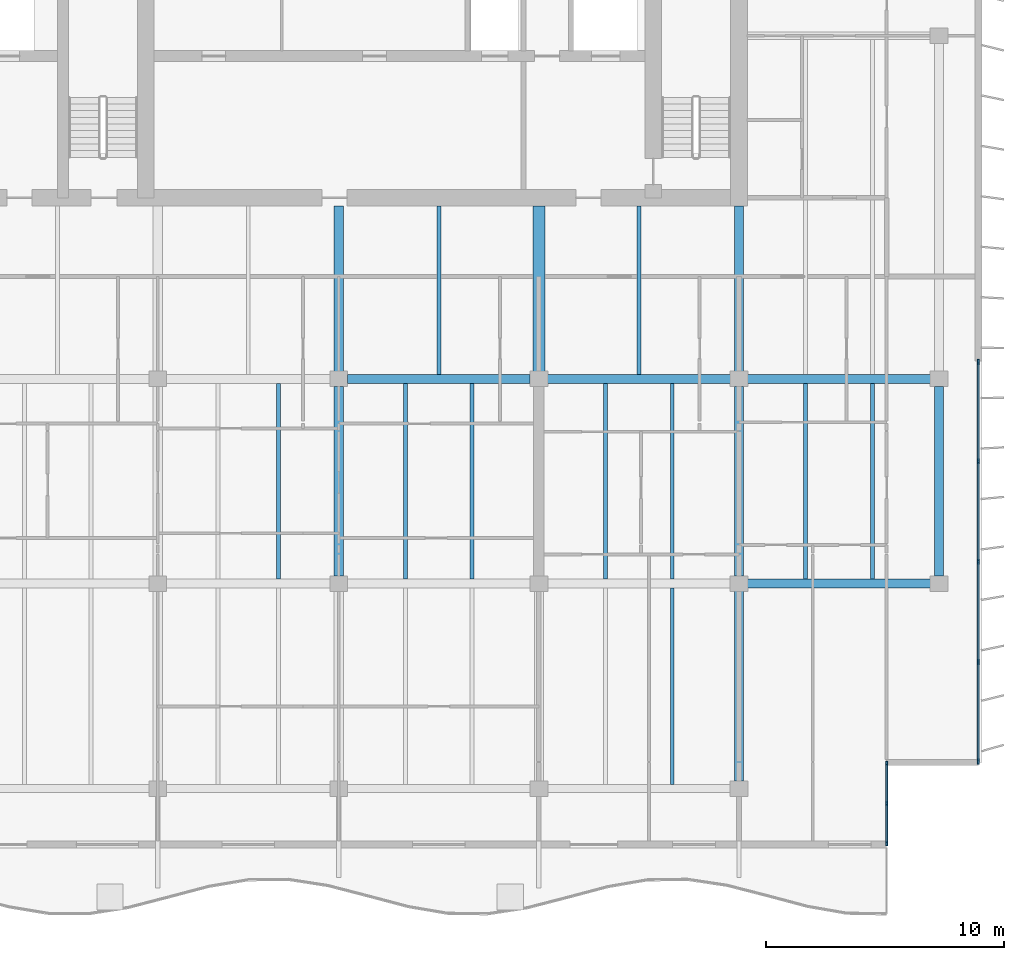
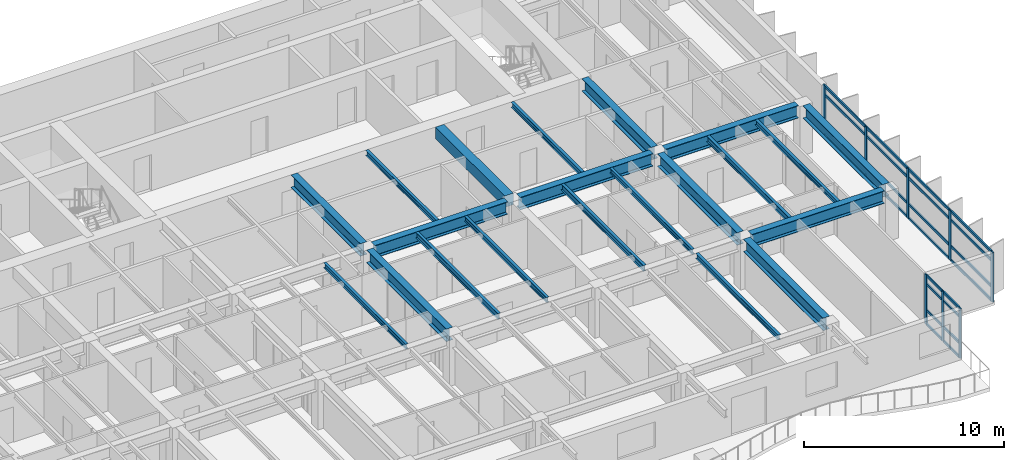
# One storey, part 4 of 17: 32 members, 21 beams, 2 elements without a shape of their own.
"""IFC4 building model written with IfcOpenShell, lengths in metres."""

from ifc_helpers import new_model, si_unit, direction, frame, origin, origin_2d, place, context, subcontext, project, spatial, rectangle, i_section, extrude, material, layer, layer_set, material_profile, profile_set, type_object, element, aggregate, save


model = new_model("IFC4")

# Units and contexts
model_context = context("Model", 3, precision=1e-05, world=origin(), true_north=direction((0.0, 1.0)))
body_context = subcontext(model_context, "Body", "Model", "MODEL_VIEW")
ifc_project = project(units=[si_unit("LENGTHUNIT", "METRE"), si_unit("AREAUNIT", "SQUARE_METRE"), si_unit("VOLUMEUNIT", "CUBIC_METRE"), si_unit("PLANEANGLEUNIT", "RADIAN"), si_unit("MASSUNIT", "GRAM", prefix="KILO")], contexts=[model_context])

# Site, building, storey
site_placement = place(None, origin())
site = spatial("IfcSite", under=ifc_project, at=site_placement, CompositionType="ELEMENT")
building_placement = place(site_placement, origin())
building = spatial("IfcBuilding", under=site, at=building_placement, Name="Caelmar Bay Residences", CompositionType="ELEMENT")
storey_placement = place(building_placement, frame((0.0, 0.0, 243.0)))
storey = spatial("IfcBuildingStorey", under=building, at=storey_placement, Name="L68", CompositionType="ELEMENT", Elevation=243.0)

# Beams
ifc_material_1 = material(Name="Steel ASTM A992 Grade 50", Category="steel")
ifc_material_profile_1 = material_profile(ifc_material_1, i_section(OverallWidth=0.381103515625, OverallDepth=0.77197265625, WebThickness=0.0166015625, FlangeThickness=0.027099609375, FilletRadius=0.0166015625, at=origin_2d()), Name="W30X173")
ifc_profile_set_1 = profile_set([ifc_material_profile_1], Name="Steel ASTM A992 Grade 50")
beam_type_1 = type_object("IfcBeamType", Name="BM-GRD-W30X173", PredefinedType="BEAM", material=ifc_profile_set_1)
beam_1_placement = place(storey_placement, frame((59.864990234375, 20.800048828125, 2.6640625), z_axis=(1.0, 0.0, 0.0), x_axis=(0.0, 1.0, 0.0)))
element("IfcBeam", 1, at=beam_1_placement, inside=storey, type_object=beam_type_1, Name="L68 East-West Girder Y=20.80 (59.5-67.9)", PredefinedType="BEAM", context=body_context, shape_type="SweptSolid", body=[
    extrude(i_section(OverallWidth=0.381103515625, OverallDepth=0.77197265625, WebThickness=0.0166015625, FlangeThickness=0.027099609375, FilletRadius=0.0166015625, at=origin_2d()), origin(), (0.0, 0.0, 1.0), 7.669921875),
])
beam_2_placement = place(storey_placement, frame((43.06494140625, 29.39990234375, 2.6640625), z_axis=(1.0, 0.0, 0.0), x_axis=(0.0, 1.0, 0.0)))
element("IfcBeam", 2, at=beam_2_placement, inside=storey, type_object=beam_type_1, Name="L68 East-West Girder Y=29.40 (42.7-51.1)", PredefinedType="BEAM", context=body_context, shape_type="SweptSolid", body=[
    extrude(i_section(OverallWidth=0.381103515625, OverallDepth=0.77197265625, WebThickness=0.0166015625, FlangeThickness=0.027099609375, FilletRadius=0.0166015625, at=origin_2d()), origin(), (0.0, 0.0, 1.0), 7.670166015625),
])
for number, where, z_axis, x_axis, name in (
    (3, (51.465087890625, 29.39990234375, 2.6640625), (1.0, 0.0, 0.0), (0.0, 1.0, 0.0), "L68 East-West Girder Y=29.40 (51.1-59.5)"),
    (4, (59.864990234375, 29.39990234375, 2.6640625), (1.0, 0.0, 0.0), (0.0, 1.0, 0.0), "L68 East-West Girder Y=29.40 (59.5-67.9)"),
):
    element("IfcBeam", number, at=place(storey_placement, frame(where, z_axis=z_axis, x_axis=x_axis)), inside=storey, type_object=beam_type_1, Name=name, PredefinedType="BEAM", context=body_context, shape_type="SweptSolid", body=[
        extrude(i_section(OverallWidth=0.381103515625, OverallDepth=0.77197265625, WebThickness=0.0166015625, FlangeThickness=0.027099609375, FilletRadius=0.0166015625, at=origin_2d()), origin(), (0.0, 0.0, 1.0), 7.669921875),
    ])
beam_3_placement = place(storey_placement, frame((42.699951171875, 29.715087890625, 2.6640625), z_axis=(0.0, 1.0, 0.0), x_axis=(-1.0, 0.0, 0.0)))
element("IfcBeam", 5, at=beam_3_placement, inside=storey, type_object=beam_type_1, Name="L68 Core Tie Girder X=42.70", PredefinedType="BEAM", context=body_context, shape_type="SweptSolid", body=[
    extrude(i_section(OverallWidth=0.381103515625, OverallDepth=0.77197265625, WebThickness=0.0166015625, FlangeThickness=0.027099609375, FilletRadius=0.0166015625, at=origin_2d()), origin(), (0.0, 0.0, 1.0), 6.934814453125),
])
beam_4_placement = place(storey_placement, frame((42.699951171875, 21.114990234375, 2.6640625), z_axis=(0.0, 1.0, 0.0), x_axis=(-1.0, 0.0, 0.0)))
element("IfcBeam", 6, at=beam_4_placement, inside=storey, type_object=beam_type_1, Name="L68 North-South Girder X=42.70 (20.8-29.4)", PredefinedType="BEAM", context=body_context, shape_type="SweptSolid", body=[
    extrude(i_section(OverallWidth=0.381103515625, OverallDepth=0.77197265625, WebThickness=0.0166015625, FlangeThickness=0.027099609375, FilletRadius=0.0166015625, at=origin_2d()), origin(), (0.0, 0.0, 1.0), 7.969970703125),
])
beam_5_placement = place(storey_placement, frame((59.5, 29.715087890625, 2.6640625), z_axis=(0.0, 1.0, 0.0), x_axis=(-1.0, 0.0, 0.0)))
element("IfcBeam", 7, at=beam_5_placement, inside=storey, type_object=beam_type_1, Name="L68 Core Tie Girder X=59.50", PredefinedType="BEAM", context=body_context, shape_type="SweptSolid", body=[
    extrude(i_section(OverallWidth=0.381103515625, OverallDepth=0.77197265625, WebThickness=0.0166015625, FlangeThickness=0.027099609375, FilletRadius=0.0166015625, at=origin_2d()), origin(), (0.0, 0.0, 1.0), 6.934814453125),
])
beam_6_placement = place(storey_placement, frame((59.5, 12.514892578125, 2.6640625), z_axis=(0.0, 1.0, 0.0), x_axis=(-1.0, 0.0, 0.0)))
element("IfcBeam", 8, at=beam_6_placement, inside=storey, type_object=beam_type_1, Name="L68 North-South Girder X=59.50 (12.2-20.8)", PredefinedType="BEAM", context=body_context, shape_type="SweptSolid", body=[
    extrude(i_section(OverallWidth=0.381103515625, OverallDepth=0.77197265625, WebThickness=0.0166015625, FlangeThickness=0.027099609375, FilletRadius=0.0166015625, at=origin_2d()), origin(), (0.0, 0.0, 1.0), 7.97021484375),
])
for number, where, z_axis, x_axis, name in (
    (9, (59.5, 21.114990234375, 2.6640625), (0.0, 1.0, 0.0), (-1.0, 0.0, 0.0), "L68 North-South Girder X=59.50 (20.8-29.4)"),
    (10, (67.89990234375, 21.114990234375, 2.6640625), (0.0, 1.0, 0.0), (-1.0, 0.0, 0.0), "L68 North-South Girder X=67.90 (20.8-29.4)"),
):
    element("IfcBeam", number, at=place(storey_placement, frame(where, z_axis=z_axis, x_axis=x_axis)), inside=storey, type_object=beam_type_1, Name=name, PredefinedType="BEAM", context=body_context, shape_type="SweptSolid", body=[
        extrude(i_section(OverallWidth=0.381103515625, OverallDepth=0.77197265625, WebThickness=0.0166015625, FlangeThickness=0.027099609375, FilletRadius=0.0166015625, at=origin_2d()), origin(), (0.0, 0.0, 1.0), 7.969970703125),
    ])
ifc_material_profile_2 = material_profile(ifc_material_1, i_section(OverallWidth=0.1650390625, OverallDepth=0.31005859375, WebThickness=0.005859375, FlangeThickness=0.009765625, FilletRadius=0.007568359375, at=origin_2d()), Name="W12X26")
ifc_profile_set_2 = profile_set([ifc_material_profile_2], Name="Steel ASTM A992 Grade 50")
beam_type_2 = type_object("IfcBeamType", Name="BM-JST-W12X26", PredefinedType="JOIST", material=ifc_profile_set_2)
beam_7_placement = place(storey_placement, frame((56.699951171875, 12.362548828125, 2.89501953125), z_axis=(0.0, 1.0, 0.0), x_axis=(-1.0, 0.0, 0.0)))
element("IfcBeam", 11, at=beam_7_placement, inside=storey, type_object=beam_type_2, Name="L68 Composite Floor Joist 10", PredefinedType="JOIST", context=body_context, shape_type="SweptSolid", body=[
    extrude(i_section(OverallWidth=0.1650390625, OverallDepth=0.31005859375, WebThickness=0.005859375, FlangeThickness=0.009765625, FilletRadius=0.007568359375, at=origin_2d()), origin(), (0.0, 0.0, 1.0), 8.2470703125),
])
for number, where, z_axis, x_axis, name in (
    (12, (40.166748046875, 20.990478515625, 2.89501953125), (0.0, 1.0, 0.0), (-1.0, 0.0, 0.0), "L68 Composite Floor Joist 18"),
    (13, (48.300048828125, 20.990478515625, 2.89501953125), (0.0, 1.0, 0.0), (-1.0, 0.0, 0.0), "L68 Composite Floor Joist 20"),
    (14, (56.699951171875, 20.990478515625, 2.89501953125), (0.0, 1.0, 0.0), (-1.0, 0.0, 0.0), "L68 Composite Floor Joist 22"),
    (15, (65.10009765625, 20.990478515625, 2.89501953125), (0.0, 1.0, 0.0), (-1.0, 0.0, 0.0), "L68 Composite Floor Joist 24"),
):
    element("IfcBeam", number, at=place(storey_placement, frame(where, z_axis=z_axis, x_axis=x_axis)), inside=storey, type_object=beam_type_2, Name=name, PredefinedType="JOIST", context=body_context, shape_type="SweptSolid", body=[
        extrude(i_section(OverallWidth=0.1650390625, OverallDepth=0.31005859375, WebThickness=0.005859375, FlangeThickness=0.009765625, FilletRadius=0.007568359375, at=origin_2d()), origin(), (0.0, 0.0, 1.0), 8.218994140625),
    ])
for number, where, z_axis, x_axis, name in (
    (16, (46.89990234375, 29.590576171875, 2.89501953125), (0.0, 1.0, 0.0), (-1.0, 0.0, 0.0), "L68 Core-Band Composite Joist 28"),
    (17, (55.300048828125, 29.590576171875, 2.89501953125), (0.0, 1.0, 0.0), (-1.0, 0.0, 0.0), "L68 Core-Band Composite Joist 29"),
):
    element("IfcBeam", number, at=place(storey_placement, frame(where, z_axis=z_axis, x_axis=x_axis)), inside=storey, type_object=beam_type_2, Name=name, PredefinedType="JOIST", context=body_context, shape_type="SweptSolid", body=[
        extrude(i_section(OverallWidth=0.1650390625, OverallDepth=0.31005859375, WebThickness=0.005859375, FlangeThickness=0.009765625, FilletRadius=0.007568359375, at=origin_2d()), origin(), (0.0, 0.0, 1.0), 7.059326171875),
    ])
ifc_material_profile_3 = material_profile(ifc_material_1, i_section(OverallWidth=0.1708984375, OverallDepth=0.35595703125, WebThickness=0.007080078125, FlangeThickness=0.01171875, FilletRadius=0.007568359375, at=origin_2d()), Name="W14X34")
ifc_profile_set_3 = profile_set([ifc_material_profile_3], Name="Steel ASTM A992 Grade 50")
beam_type_3 = type_object("IfcBeamType", Name="BM-JST-W14X34", PredefinedType="JOIST", material=ifc_profile_set_3)
for number, where, z_axis, x_axis, name in (
    (18, (45.5, 20.990478515625, 2.8720703125), (0.0, 1.0, 0.0), (-1.0, 0.0, 0.0), "L68 Composite Floor Joist 19"),
    (19, (53.89990234375, 20.990478515625, 2.8720703125), (0.0, 1.0, 0.0), (-1.0, 0.0, 0.0), "L68 Composite Floor Joist 21"),
    (20, (62.300048828125, 20.990478515625, 2.8720703125), (0.0, 1.0, 0.0), (-1.0, 0.0, 0.0), "L68 Composite Floor Joist 23"),
):
    element("IfcBeam", number, at=place(storey_placement, frame(where, z_axis=z_axis, x_axis=x_axis)), inside=storey, type_object=beam_type_3, Name=name, PredefinedType="JOIST", context=body_context, shape_type="SweptSolid", body=[
        extrude(i_section(OverallWidth=0.1708984375, OverallDepth=0.35595703125, WebThickness=0.007080078125, FlangeThickness=0.01171875, FilletRadius=0.007568359375, at=origin_2d()), origin(), (0.0, 0.0, 1.0), 8.218994140625),
    ])
ifc_material_2 = material(Name="Concrete f'c 55 MPa (8,000 psi)", Category="concrete")
ifc_material_profile_4 = material_profile(ifc_material_2, rectangle(XDim=0.5, YDim=0.699951171875, at=origin_2d()), Name="RC-BM-500X700")
ifc_profile_set_4 = profile_set([ifc_material_profile_4], Name="Concrete f'c 55 MPa (8,000 psi)")
beam_type_4 = type_object("IfcBeamType", Name="BM-RC-500X700", PredefinedType="LINTEL", material=ifc_profile_set_4)
beam_8_placement = place(storey_placement, frame((51.10009765625, 29.715087890625, 2.699951171875), z_axis=(0.0, 1.0, 0.0), x_axis=(-1.0, 0.0, 0.0)))
element("IfcBeam", 21, at=beam_8_placement, inside=storey, type_object=beam_type_4, Name="L68 Shear-Wall Corridor Coupling Lintel E8", PredefinedType="LINTEL", context=body_context, shape_type="SweptSolid", body=[
    extrude(rectangle(XDim=0.5, YDim=0.699951171875, at=origin_2d()), origin(), (0.0, 0.0, 1.0), 6.934814453125),
])

# Curtain wall, members
ifc_material_3 = material(Name="Anodised bronze aluminium 6063-T6 and laminated glass", Category="aluminium")
ifc_layer_1 = layer(ifc_material_3, 0.179931640625)
ifc_layer_set_1 = layer_set([ifc_layer_1], Name="Anodised bronze aluminium 6063-T6 and laminated glass")
curtain_wall_type_1 = type_object("IfcCurtainWallType", Name="CW6-NTC", PredefinedType="NOTDEFINED", material=ifc_layer_set_1)
curtain_wall_1_placement = place(storey_placement, origin())
curtain_wall_1 = element("IfcCurtainWall", 22, at=curtain_wall_1_placement, inside=storey, type_object=curtain_wall_type_1, Name="CW6 curtain wall L68", PredefinedType="NOTDEFINED")
ifc_material_4 = material(Name="Anodised bronze aluminium 6063-T6", Category="aluminium")
ifc_material_profile_5 = material_profile(ifc_material_4, rectangle(XDim=0.080078125, YDim=0.179931640625, at=origin_2d()), Name="CWM-80X180")
ifc_profile_set_5 = profile_set([ifc_material_profile_5], Name="Anodised bronze aluminium 6063-T6")
member_type_1 = type_object("IfcMemberType", Name="CWM-180", PredefinedType="MULLION", material=ifc_profile_set_5)
member_1_placement = place(storey_placement, frame((65.699951171875, 9.889892578125, 0.0), z_axis=(0.0, 0.0, 1.0), x_axis=(-1.0, 0.0, 0.0)))
member_1 = element("IfcMember", 23, at=member_1_placement, type_object=member_type_1, Name="CW6 mullion 1", PredefinedType="MULLION", context=body_context, shape_type="SweptSolid", body=[
    extrude(rectangle(XDim=0.080078125, YDim=0.179931640625, at=origin_2d()), origin(), (0.0, 0.0, 1.0), 3.050048828125),
])
member_2_placement = place(storey_placement, frame((65.699951171875, 11.574951171875, 0.0), z_axis=(0.0, 0.0, 1.0), x_axis=(-1.0, 0.0, 0.0)))
member_2 = element("IfcMember", 24, at=member_2_placement, type_object=member_type_1, Name="CW6 mullion 2", PredefinedType="MULLION", context=body_context, shape_type="SweptSolid", body=[
    extrude(rectangle(XDim=0.080078125, YDim=0.179931640625, at=origin_2d()), origin(), (0.0, 0.0, 1.0), 3.050048828125),
])
member_3_placement = place(storey_placement, frame((65.699951171875, 13.260009765625, 0.0), z_axis=(0.0, 0.0, 1.0), x_axis=(-1.0, 0.0, 0.0)))
member_3 = element("IfcMember", 25, at=member_3_placement, type_object=member_type_1, Name="CW6 mullion 3", PredefinedType="MULLION", context=body_context, shape_type="SweptSolid", body=[
    extrude(rectangle(XDim=0.080078125, YDim=0.179931640625, at=origin_2d()), origin(), (0.0, 0.0, 1.0), 3.050048828125),
])

ifc_layer_2 = layer(ifc_material_3, 0.179931640625)
ifc_layer_set_2 = layer_set([ifc_layer_2], Name="Anodised bronze aluminium 6063-T6 and laminated glass")
curtain_wall_type_2 = type_object("IfcCurtainWallType", Name="CW5-Z4", PredefinedType="NOTDEFINED", material=ifc_layer_set_2)
curtain_wall_2_placement = place(storey_placement, origin())
curtain_wall_2 = element("IfcCurtainWall", 26, at=curtain_wall_2_placement, inside=storey, type_object=curtain_wall_type_2, Name="CW5 curtain wall L68", PredefinedType="NOTDEFINED")
ifc_material_profile_6 = material_profile(ifc_material_4, rectangle(XDim=0.080078125, YDim=0.219970703125, at=origin_2d()), Name="CWM-80X220")
ifc_profile_set_6 = profile_set([ifc_material_profile_6], Name="Anodised bronze aluminium 6063-T6")
member_type_2 = type_object("IfcMemberType", Name="CWM-220", PredefinedType="MULLION", material=ifc_profile_set_6)
member_4_placement = place(storey_placement, frame((69.550048828125, 30.110107421875, 0.0), z_axis=(0.0, 0.0, 1.0), x_axis=(1.0, 0.0, 0.0)))
member_4 = element("IfcMember", 27, at=member_4_placement, type_object=member_type_2, Name="CW5 mullion 1", PredefinedType="MULLION", context=body_context, shape_type="SweptSolid", body=[
    extrude(rectangle(XDim=0.080078125, YDim=0.219970703125, at=origin_2d()), origin(), (0.0, 0.0, 1.0), 3.050048828125),
])
member_5_placement = place(storey_placement, frame((69.550048828125, 25.9375, 0.0), z_axis=(0.0, 0.0, 1.0), x_axis=(1.0, 0.0, 0.0)))
member_5 = element("IfcMember", 28, at=member_5_placement, type_object=member_type_2, Name="CW5 mullion 2", PredefinedType="MULLION", context=body_context, shape_type="SweptSolid", body=[
    extrude(rectangle(XDim=0.080078125, YDim=0.219970703125, at=origin_2d()), origin(), (0.0, 0.0, 1.0), 3.050048828125),
])
member_6_placement = place(storey_placement, frame((69.550048828125, 21.72509765625, 0.0), z_axis=(0.0, 0.0, 1.0), x_axis=(1.0, 0.0, 0.0)))
member_6 = element("IfcMember", 29, at=member_6_placement, type_object=member_type_2, Name="CW5 mullion 3", PredefinedType="MULLION", context=body_context, shape_type="SweptSolid", body=[
    extrude(rectangle(XDim=0.080078125, YDim=0.219970703125, at=origin_2d()), origin(), (0.0, 0.0, 1.0), 3.050048828125),
])
member_7_placement = place(storey_placement, frame((69.550048828125, 17.512451171875, 0.0), z_axis=(0.0, 0.0, 1.0), x_axis=(1.0, 0.0, 0.0)))
member_7 = element("IfcMember", 30, at=member_7_placement, type_object=member_type_2, Name="CW5 mullion 4", PredefinedType="MULLION", context=body_context, shape_type="SweptSolid", body=[
    extrude(rectangle(XDim=0.080078125, YDim=0.219970703125, at=origin_2d()), origin(), (0.0, 0.0, 1.0), 3.050048828125),
])
member_8_placement = place(storey_placement, frame((69.550048828125, 13.340087890625, 0.0), z_axis=(0.0, 0.0, 1.0), x_axis=(1.0, 0.0, 0.0)))
member_8 = element("IfcMember", 31, at=member_8_placement, type_object=member_type_2, Name="CW5 mullion 5", PredefinedType="MULLION", context=body_context, shape_type="SweptSolid", body=[
    extrude(rectangle(XDim=0.080078125, YDim=0.219970703125, at=origin_2d()), origin(), (0.0, 0.0, 1.0), 3.050048828125),
])

# Member
ifc_material_profile_7 = material_profile(ifc_material_4, rectangle(XDim=0.080078125, YDim=0.139892578125, at=origin_2d()), Name="CWT-80X140")
ifc_profile_set_7 = profile_set([ifc_material_profile_7], Name="Anodised bronze aluminium 6063-T6")
member_type_3 = type_object("IfcMemberType", Name="CWT-140", PredefinedType="NOTDEFINED", material=ifc_profile_set_7)
member_9_placement = place(storey_placement, frame((65.699951171875, 9.929931640625, 0.0400390625), z_axis=(0.0, 1.0, 0.0), x_axis=(-1.0, 0.0, 0.0)))
member_9 = element("IfcMember", 32, at=member_9_placement, type_object=member_type_3, Name="CW6 transom 1.1", ObjectType="TRANSOM", PredefinedType="USERDEFINED", context=body_context, shape_type="SweptSolid", body=[
    extrude(rectangle(XDim=0.080078125, YDim=0.139892578125, at=origin_2d()), origin(), (0.0, 0.0, 1.0), 1.60498046875),
])

member_10_placement = place(storey_placement, frame((65.699951171875, 9.929931640625, 0.89990234375), z_axis=(0.0, 1.0, 0.0), x_axis=(-1.0, 0.0, 0.0)))
member_10 = element("IfcMember", 33, at=member_10_placement, type_object=member_type_3, Name="CW6 transom 1.2", ObjectType="TRANSOM", PredefinedType="USERDEFINED", context=body_context, shape_type="SweptSolid", body=[
    extrude(rectangle(XDim=0.080078125, YDim=0.139892578125, at=origin_2d()), origin(), (0.0, 0.0, 1.0), 1.60498046875),
])

member_11_placement = place(storey_placement, frame((65.699951171875, 9.929931640625, 2.5), z_axis=(0.0, 1.0, 0.0), x_axis=(-1.0, 0.0, 0.0)))
member_11 = element("IfcMember", 34, at=member_11_placement, type_object=member_type_3, Name="CW6 transom 1.3", ObjectType="TRANSOM", PredefinedType="USERDEFINED", context=body_context, shape_type="SweptSolid", body=[
    extrude(rectangle(XDim=0.080078125, YDim=0.139892578125, at=origin_2d()), origin(), (0.0, 0.0, 1.0), 1.60498046875),
])

member_12_placement = place(storey_placement, frame((65.699951171875, 9.929931640625, 3.010009765625), z_axis=(0.0, 1.0, 0.0), x_axis=(-1.0, 0.0, 0.0)))
member_12 = element("IfcMember", 35, at=member_12_placement, type_object=member_type_3, Name="CW6 transom 1.4", ObjectType="TRANSOM", PredefinedType="USERDEFINED", context=body_context, shape_type="SweptSolid", body=[
    extrude(rectangle(XDim=0.080078125, YDim=0.139892578125, at=origin_2d()), origin(), (0.0, 0.0, 1.0), 1.60498046875),
])

member_13_placement = place(storey_placement, frame((65.699951171875, 11.614990234375, 0.0400390625), z_axis=(0.0, 1.0, 0.0), x_axis=(-1.0, 0.0, 0.0)))
member_13 = element("IfcMember", 36, at=member_13_placement, type_object=member_type_3, Name="CW6 transom 2.1", ObjectType="TRANSOM", PredefinedType="USERDEFINED", context=body_context, shape_type="SweptSolid", body=[
    extrude(rectangle(XDim=0.080078125, YDim=0.139892578125, at=origin_2d()), origin(), (0.0, 0.0, 1.0), 1.60498046875),
])

member_14_placement = place(storey_placement, frame((65.699951171875, 11.614990234375, 0.89990234375), z_axis=(0.0, 1.0, 0.0), x_axis=(-1.0, 0.0, 0.0)))
member_14 = element("IfcMember", 37, at=member_14_placement, type_object=member_type_3, Name="CW6 transom 2.2", ObjectType="TRANSOM", PredefinedType="USERDEFINED", context=body_context, shape_type="SweptSolid", body=[
    extrude(rectangle(XDim=0.080078125, YDim=0.139892578125, at=origin_2d()), origin(), (0.0, 0.0, 1.0), 1.60498046875),
])

member_15_placement = place(storey_placement, frame((65.699951171875, 11.614990234375, 2.5), z_axis=(0.0, 1.0, 0.0), x_axis=(-1.0, 0.0, 0.0)))
member_15 = element("IfcMember", 38, at=member_15_placement, type_object=member_type_3, Name="CW6 transom 2.3", ObjectType="TRANSOM", PredefinedType="USERDEFINED", context=body_context, shape_type="SweptSolid", body=[
    extrude(rectangle(XDim=0.080078125, YDim=0.139892578125, at=origin_2d()), origin(), (0.0, 0.0, 1.0), 1.60498046875),
])

member_16_placement = place(storey_placement, frame((65.699951171875, 11.614990234375, 3.010009765625), z_axis=(0.0, 1.0, 0.0), x_axis=(-1.0, 0.0, 0.0)))
member_16 = element("IfcMember", 39, at=member_16_placement, type_object=member_type_3, Name="CW6 transom 2.4", ObjectType="TRANSOM", PredefinedType="USERDEFINED", context=body_context, shape_type="SweptSolid", body=[
    extrude(rectangle(XDim=0.080078125, YDim=0.139892578125, at=origin_2d()), origin(), (0.0, 0.0, 1.0), 1.60498046875),
])

aggregate(curtain_wall_1, [member_1, member_2, member_3, member_9, member_10, member_11, member_12, member_13, member_14, member_15, member_16])

ifc_material_profile_8 = material_profile(ifc_material_4, rectangle(XDim=0.080078125, YDim=0.159912109375, at=origin_2d()), Name="CWT-80X160")
ifc_profile_set_8 = profile_set([ifc_material_profile_8], Name="Anodised bronze aluminium 6063-T6")
member_type_4 = type_object("IfcMemberType", Name="CWT-160", PredefinedType="NOTDEFINED", material=ifc_profile_set_8)
member_17_placement = place(storey_placement, frame((69.550048828125, 30.070068359375, 0.0400390625), z_axis=(0.0, -1.0, 0.0), x_axis=(1.0, 0.0, 0.0)))
member_17 = element("IfcMember", 40, at=member_17_placement, type_object=member_type_4, Name="CW5 transom 1.1", ObjectType="TRANSOM", PredefinedType="USERDEFINED", context=body_context, shape_type="SweptSolid", body=[
    extrude(rectangle(XDim=0.080078125, YDim=0.159912109375, at=origin_2d()), origin(), (0.0, 0.0, 1.0), 4.092529296875),
])

member_18_placement = place(storey_placement, frame((69.550048828125, 30.070068359375, 0.89990234375), z_axis=(0.0, -1.0, 0.0), x_axis=(1.0, 0.0, 0.0)))
member_18 = element("IfcMember", 41, at=member_18_placement, type_object=member_type_4, Name="CW5 transom 1.2", ObjectType="TRANSOM", PredefinedType="USERDEFINED", context=body_context, shape_type="SweptSolid", body=[
    extrude(rectangle(XDim=0.080078125, YDim=0.159912109375, at=origin_2d()), origin(), (0.0, 0.0, 1.0), 4.092529296875),
])

member_19_placement = place(storey_placement, frame((69.550048828125, 30.070068359375, 2.5), z_axis=(0.0, -1.0, 0.0), x_axis=(1.0, 0.0, 0.0)))
member_19 = element("IfcMember", 42, at=member_19_placement, type_object=member_type_4, Name="CW5 transom 1.3", ObjectType="TRANSOM", PredefinedType="USERDEFINED", context=body_context, shape_type="SweptSolid", body=[
    extrude(rectangle(XDim=0.080078125, YDim=0.159912109375, at=origin_2d()), origin(), (0.0, 0.0, 1.0), 4.092529296875),
])

member_20_placement = place(storey_placement, frame((69.550048828125, 30.070068359375, 3.010009765625), z_axis=(0.0, -1.0, 0.0), x_axis=(1.0, 0.0, 0.0)))
member_20 = element("IfcMember", 43, at=member_20_placement, type_object=member_type_4, Name="CW5 transom 1.4", ObjectType="TRANSOM", PredefinedType="USERDEFINED", context=body_context, shape_type="SweptSolid", body=[
    extrude(rectangle(XDim=0.080078125, YDim=0.159912109375, at=origin_2d()), origin(), (0.0, 0.0, 1.0), 4.092529296875),
])

member_21_placement = place(storey_placement, frame((69.550048828125, 25.8974609375, 0.0400390625), z_axis=(0.0, -1.0, 0.0), x_axis=(1.0, 0.0, 0.0)))
member_21 = element("IfcMember", 44, at=member_21_placement, type_object=member_type_4, Name="CW5 transom 2.1", ObjectType="TRANSOM", PredefinedType="USERDEFINED", context=body_context, shape_type="SweptSolid", body=[
    extrude(rectangle(XDim=0.080078125, YDim=0.159912109375, at=origin_2d()), origin(), (0.0, 0.0, 1.0), 4.132568359375),
])

member_22_placement = place(storey_placement, frame((69.550048828125, 25.8974609375, 0.89990234375), z_axis=(0.0, -1.0, 0.0), x_axis=(1.0, 0.0, 0.0)))
member_22 = element("IfcMember", 45, at=member_22_placement, type_object=member_type_4, Name="CW5 transom 2.2", ObjectType="TRANSOM", PredefinedType="USERDEFINED", context=body_context, shape_type="SweptSolid", body=[
    extrude(rectangle(XDim=0.080078125, YDim=0.159912109375, at=origin_2d()), origin(), (0.0, 0.0, 1.0), 4.132568359375),
])

member_23_placement = place(storey_placement, frame((69.550048828125, 25.8974609375, 2.5), z_axis=(0.0, -1.0, 0.0), x_axis=(1.0, 0.0, 0.0)))
member_23 = element("IfcMember", 46, at=member_23_placement, type_object=member_type_4, Name="CW5 transom 2.3", ObjectType="TRANSOM", PredefinedType="USERDEFINED", context=body_context, shape_type="SweptSolid", body=[
    extrude(rectangle(XDim=0.080078125, YDim=0.159912109375, at=origin_2d()), origin(), (0.0, 0.0, 1.0), 4.132568359375),
])

member_24_placement = place(storey_placement, frame((69.550048828125, 25.8974609375, 3.010009765625), z_axis=(0.0, -1.0, 0.0), x_axis=(1.0, 0.0, 0.0)))
member_24 = element("IfcMember", 47, at=member_24_placement, type_object=member_type_4, Name="CW5 transom 2.4", ObjectType="TRANSOM", PredefinedType="USERDEFINED", context=body_context, shape_type="SweptSolid", body=[
    extrude(rectangle(XDim=0.080078125, YDim=0.159912109375, at=origin_2d()), origin(), (0.0, 0.0, 1.0), 4.132568359375),
])

member_25_placement = place(storey_placement, frame((69.550048828125, 21.68505859375, 0.0400390625), z_axis=(0.0, -1.0, 0.0), x_axis=(1.0, 0.0, 0.0)))
member_25 = element("IfcMember", 48, at=member_25_placement, type_object=member_type_4, Name="CW5 transom 3.1", ObjectType="TRANSOM", PredefinedType="USERDEFINED", context=body_context, shape_type="SweptSolid", body=[
    extrude(rectangle(XDim=0.080078125, YDim=0.159912109375, at=origin_2d()), origin(), (0.0, 0.0, 1.0), 4.132568359375),
])

member_26_placement = place(storey_placement, frame((69.550048828125, 21.68505859375, 0.89990234375), z_axis=(0.0, -1.0, 0.0), x_axis=(1.0, 0.0, 0.0)))
member_26 = element("IfcMember", 49, at=member_26_placement, type_object=member_type_4, Name="CW5 transom 3.2", ObjectType="TRANSOM", PredefinedType="USERDEFINED", context=body_context, shape_type="SweptSolid", body=[
    extrude(rectangle(XDim=0.080078125, YDim=0.159912109375, at=origin_2d()), origin(), (0.0, 0.0, 1.0), 4.132568359375),
])

member_27_placement = place(storey_placement, frame((69.550048828125, 21.68505859375, 2.5), z_axis=(0.0, -1.0, 0.0), x_axis=(1.0, 0.0, 0.0)))
member_27 = element("IfcMember", 50, at=member_27_placement, type_object=member_type_4, Name="CW5 transom 3.3", ObjectType="TRANSOM", PredefinedType="USERDEFINED", context=body_context, shape_type="SweptSolid", body=[
    extrude(rectangle(XDim=0.080078125, YDim=0.159912109375, at=origin_2d()), origin(), (0.0, 0.0, 1.0), 4.132568359375),
])

member_28_placement = place(storey_placement, frame((69.550048828125, 21.68505859375, 3.010009765625), z_axis=(0.0, -1.0, 0.0), x_axis=(1.0, 0.0, 0.0)))
member_28 = element("IfcMember", 51, at=member_28_placement, type_object=member_type_4, Name="CW5 transom 3.4", ObjectType="TRANSOM", PredefinedType="USERDEFINED", context=body_context, shape_type="SweptSolid", body=[
    extrude(rectangle(XDim=0.080078125, YDim=0.159912109375, at=origin_2d()), origin(), (0.0, 0.0, 1.0), 4.132568359375),
])

member_29_placement = place(storey_placement, frame((69.550048828125, 17.472412109375, 0.0400390625), z_axis=(0.0, -1.0, 0.0), x_axis=(1.0, 0.0, 0.0)))
member_29 = element("IfcMember", 52, at=member_29_placement, type_object=member_type_4, Name="CW5 transom 4.1", ObjectType="TRANSOM", PredefinedType="USERDEFINED", context=body_context, shape_type="SweptSolid", body=[
    extrude(rectangle(XDim=0.080078125, YDim=0.159912109375, at=origin_2d()), origin(), (0.0, 0.0, 1.0), 4.092529296875),
])

member_30_placement = place(storey_placement, frame((69.550048828125, 17.472412109375, 0.89990234375), z_axis=(0.0, -1.0, 0.0), x_axis=(1.0, 0.0, 0.0)))
member_30 = element("IfcMember", 53, at=member_30_placement, type_object=member_type_4, Name="CW5 transom 4.2", ObjectType="TRANSOM", PredefinedType="USERDEFINED", context=body_context, shape_type="SweptSolid", body=[
    extrude(rectangle(XDim=0.080078125, YDim=0.159912109375, at=origin_2d()), origin(), (0.0, 0.0, 1.0), 4.092529296875),
])

member_31_placement = place(storey_placement, frame((69.550048828125, 17.472412109375, 2.5), z_axis=(0.0, -1.0, 0.0), x_axis=(1.0, 0.0, 0.0)))
member_31 = element("IfcMember", 54, at=member_31_placement, type_object=member_type_4, Name="CW5 transom 4.3", ObjectType="TRANSOM", PredefinedType="USERDEFINED", context=body_context, shape_type="SweptSolid", body=[
    extrude(rectangle(XDim=0.080078125, YDim=0.159912109375, at=origin_2d()), origin(), (0.0, 0.0, 1.0), 4.092529296875),
])

member_32_placement = place(storey_placement, frame((69.550048828125, 17.472412109375, 3.010009765625), z_axis=(0.0, -1.0, 0.0), x_axis=(1.0, 0.0, 0.0)))
member_32 = element("IfcMember", 55, at=member_32_placement, type_object=member_type_4, Name="CW5 transom 4.4", ObjectType="TRANSOM", PredefinedType="USERDEFINED", context=body_context, shape_type="SweptSolid", body=[
    extrude(rectangle(XDim=0.080078125, YDim=0.159912109375, at=origin_2d()), origin(), (0.0, 0.0, 1.0), 4.092529296875),
])

aggregate(curtain_wall_2, [member_4, member_5, member_6, member_7, member_8, member_17, member_18, member_19, member_20, member_21, member_22, member_23, member_24, member_25, member_26, member_27, member_28, member_29, member_30, member_31, member_32])

save(model, "model.ifc")
